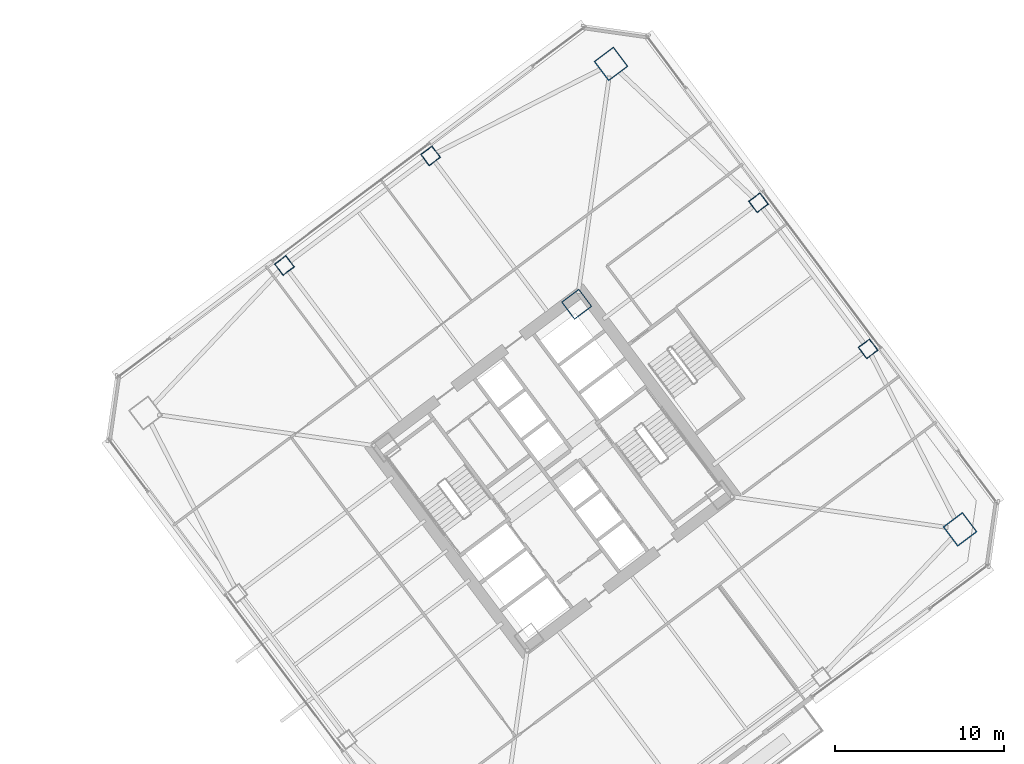
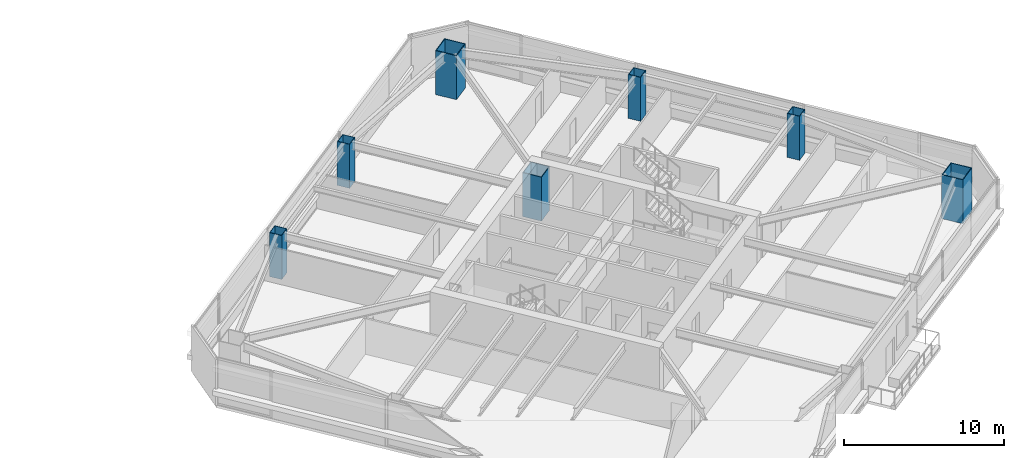
# One storey, part 2 of 47: 7 columns.
"""IFC4 building model written with IfcOpenShell, lengths in metres."""

from ifc_helpers import new_model, si_unit, direction, frame, origin, origin_2d, place, context, subcontext, project, spatial, hollow_rectangle, extrude, material, material_profile, profile_set, type_object, element, save


model = new_model("IFC4")

# Units and contexts
model_context = context("Model", 3, precision=1e-05, world=origin(), true_north=direction((0.0, 1.0)))
body_context = subcontext(model_context, "Body", "Model", "MODEL_VIEW")
ifc_project = project(units=[si_unit("LENGTHUNIT", "METRE"), si_unit("AREAUNIT", "SQUARE_METRE"), si_unit("VOLUMEUNIT", "CUBIC_METRE"), si_unit("PLANEANGLEUNIT", "RADIAN"), si_unit("MASSUNIT", "GRAM", prefix="KILO")], contexts=[model_context])

# Site, building, storey
site_placement = place(None, origin())
site = spatial("IfcSite", under=ifc_project, at=site_placement, CompositionType="ELEMENT")
building_placement = place(site_placement, origin())
building = spatial("IfcBuilding", under=site, at=building_placement, Name="Tashvorn Skyway Center", CompositionType="ELEMENT")
storey_placement = place(building_placement, frame((0.0, 0.0, 81.39990234375)))
storey = spatial("IfcBuildingStorey", under=building, at=storey_placement, Name="L21", CompositionType="ELEMENT", Elevation=81.39990234375)

# Columns
ifc_material = material(Name="Steel ASTM A572 Grade 50", Category="steel")
ifc_material_profile_1 = material_profile(ifc_material, hollow_rectangle(XDim=1.300048828125, YDim=1.300048828125, WallThickness=0.050048828125, at=origin_2d()), Name="BOX1300x1300x50")
ifc_profile_set_1 = profile_set([ifc_material_profile_1], Name="Steel ASTM A572 Grade 50")
column_type_1 = type_object("IfcColumnType", Name="COL-BOX1300x1300x50", PredefinedType="COLUMN", material=ifc_profile_set_1)
column_placement = place(storey_placement, frame((115.409912109375, 41.8701171875, 0.0), z_axis=(0.0, 0.0, 1.0), x_axis=(0.799999996291, 0.600000004945, 0.0)))
element("IfcColumn", 1, at=column_placement, inside=storey, type_object=column_type_1, Name="Tower 2 L21 Core Corner Column CC-NE", PredefinedType="COLUMN", context=body_context, shape_type="SweptSolid", body=[
    extrude(hollow_rectangle(XDim=1.300048828125, YDim=1.300048828125, WallThickness=0.050048828125, at=origin_2d()), origin(), (0.0, 0.0, 1.0), 3.35009765625),
])
ifc_material_profile_2 = material_profile(ifc_material, hollow_rectangle(XDim=1.449951171875, YDim=1.449951171875, WallThickness=0.054931640625, at=origin_2d()), Name="BOX1450x1450x55")
ifc_profile_set_2 = profile_set([ifc_material_profile_2], Name="Steel ASTM A572 Grade 50")
column_type_2 = type_object("IfcColumnType", Name="COL-BOX1450x1450x55", PredefinedType="COLUMN", material=ifc_profile_set_2)
for number, where, z_axis, x_axis, name in (
    (2, (138.080078125, 28.56005859375, 0.0), (0.0, 0.0, 1.0), (0.799999996291, 0.600000004945, 0.0), "Tower 2 L21 Mega-Column MC-SE"),
    (3, (117.43994140625, 56.080078125, 0.0), (0.0, 0.0, 1.0), (0.799999996291, 0.600000004945, 0.0), "Tower 2 L21 Mega-Column MC-NE"),
):
    element("IfcColumn", number, at=place(storey_placement, frame(where, z_axis=z_axis, x_axis=x_axis)), inside=storey, type_object=column_type_2, Name=name, PredefinedType="COLUMN", context=body_context, shape_type="SweptSolid", body=[
        extrude(hollow_rectangle(XDim=1.449951171875, YDim=1.449951171875, WallThickness=0.054931640625, at=origin_2d()), origin(), (0.0, 0.0, 1.0), 3.35009765625),
    ])
ifc_material_profile_3 = material_profile(ifc_material, hollow_rectangle(XDim=0.85009765625, YDim=0.85009765625, WallThickness=0.034912109375, at=origin_2d()), Name="BOX850x850x35")
ifc_profile_set_3 = profile_set([ifc_material_profile_3], Name="Steel ASTM A572 Grade 50")
column_type_3 = type_object("IfcColumnType", Name="COL-BOX850x850x35", PredefinedType="COLUMN", material=ifc_profile_set_3)
for number, where, z_axis, x_axis, name in (
    (4, (132.639892578125, 39.22998046875, 0.0), (0.0, 0.0, 1.0), (0.799999996291, 0.600000004945, 0.0), "Tower 2 L21 Perimeter Column FC-E1"),
    (5, (126.159912109375, 47.8701171875, 0.0), (0.0, 0.0, 1.0), (0.799999996291, 0.600000004945, 0.0), "Tower 2 L21 Perimeter Column FC-E2"),
    (6, (106.77001953125, 50.639892578125, 0.0), (0.0, 0.0, 1.0), (0.799999996291, 0.600000004945, 0.0), "Tower 2 L21 Perimeter Column FC-N1"),
    (7, (98.1298828125, 44.159912109375, 0.0), (0.0, 0.0, 1.0), (0.799999996291, 0.600000004945, 0.0), "Tower 2 L21 Perimeter Column FC-N2"),
):
    element("IfcColumn", number, at=place(storey_placement, frame(where, z_axis=z_axis, x_axis=x_axis)), inside=storey, type_object=column_type_3, Name=name, PredefinedType="COLUMN", context=body_context, shape_type="SweptSolid", body=[
        extrude(hollow_rectangle(XDim=0.85009765625, YDim=0.85009765625, WallThickness=0.034912109375, at=origin_2d()), origin(), (0.0, 0.0, 1.0), 3.35009765625),
    ])

save(model, "model.ifc")
